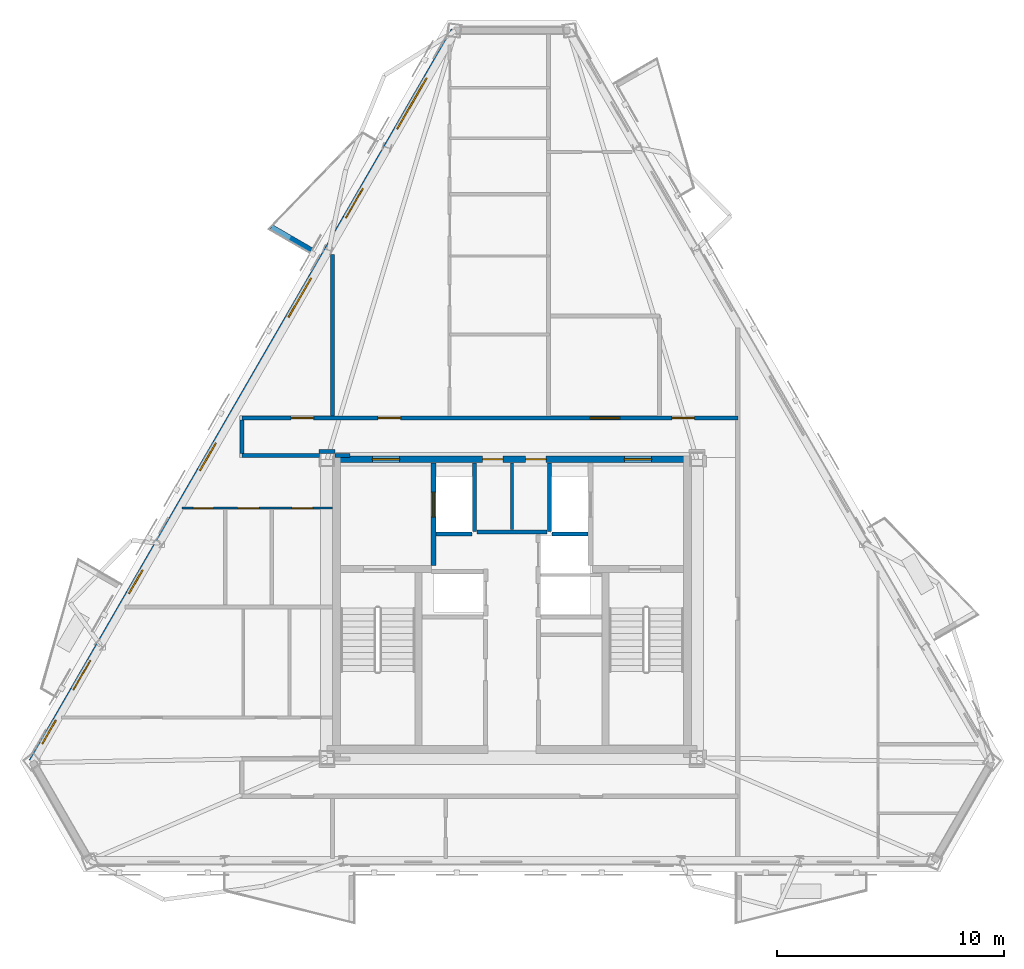
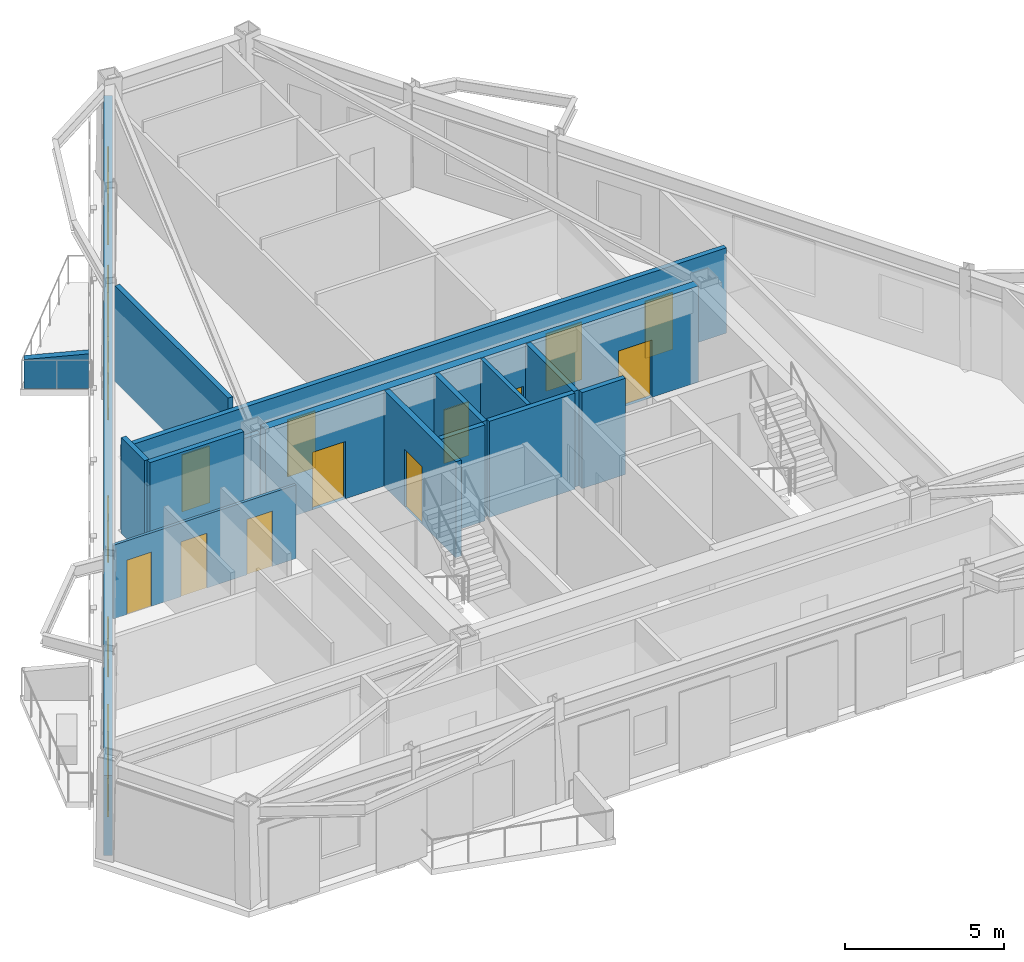
# One storey, part 4 of 9: 17 walls, 14 doors, 5 windows, 19 openings.
"""IFC4 building model written with IfcOpenShell, lengths in metres."""

from ifc_helpers import new_model, si_unit, direction, frame, frame_2d, origin, place, context, subcontext, project, spatial, polyline, rectangle, outline, extrude, material, layer, layer_set, type_object, element, fill, save


model = new_model("IFC4")

# Units and contexts
model_context = context("Model", 3, precision=1e-05, world=origin(), true_north=direction((0.0, 1.0)))
body_context = subcontext(model_context, "Body", "Model", "MODEL_VIEW")
ifc_project = project(units=[si_unit("LENGTHUNIT", "METRE"), si_unit("AREAUNIT", "SQUARE_METRE"), si_unit("VOLUMEUNIT", "CUBIC_METRE"), si_unit("PLANEANGLEUNIT", "RADIAN"), si_unit("MASSUNIT", "GRAM", prefix="KILO")], contexts=[model_context])

# Site, building, storey
site_placement = place(None, origin())
site = spatial("IfcSite", under=ifc_project, at=site_placement, CompositionType="ELEMENT")
building_placement = place(site_placement, origin())
building = spatial("IfcBuilding", under=site, at=building_placement, Name="Oramaril Tower", CompositionType="ELEMENT")
storey_placement = place(building_placement, frame((0.0, 0.0, 261.60009765625)))
storey = spatial("IfcBuildingStorey", under=building, at=storey_placement, Name="L69", CompositionType="ELEMENT", Elevation=261.60009765625)

# Wall, openings, doors, windows
ifc_material_1 = material(Name="Warm Cream Limestone", Category="masonry")
ifc_layer_1 = layer(ifc_material_1, 0.2900390625)
ifc_layer_set_1 = layer_set([ifc_layer_1], Name="WT-EXT29")
wall_type_1 = type_object("IfcWallType", Name="WT-EXT29", PredefinedType="SOLIDWALL", material=ifc_layer_set_1)
wall_1_placement = place(storey_placement, frame((34.947998046875, 43.05078125, 0.0), z_axis=(0.0, 0.0, 1.0), x_axis=(-0.500002906693, -0.866023725598, 0.0)))
wall_1 = element("IfcWall", 1, at=wall_1_placement, inside=storey, type_object=wall_type_1, Name="L69 Tower Limestone Facade Wall 6M", PredefinedType="SOLIDWALL", context=body_context, shape_type="SweptSolid", body=[
    extrude(rectangle(XDim=37.199951171875, YDim=0.2900390625, at=frame_2d((18.60009765625, 0.0))), origin(), (0.0, 0.0, 1.0), 3.057861328125),
])
opening_1_placement = place(wall_1_placement, frame((8.034423828125, 0.0, 0.0)))
opening_1 = element("IfcOpeningElement", 2, at=opening_1_placement, cuts=wall_1, Name="Opening D-L69-BAL-NW1", PredefinedType="OPENING", context=body_context, shape_type="SweptSolid", body=[
    extrude(rectangle(XDim=1.5, YDim=2.199951171875, at=frame_2d((0.75, 1.10009765625))), frame((0.0, 0.14501953125, 0.0), z_axis=(0.0, -1.0, 0.0), x_axis=(1.0, 0.0, 0.0)), (0.0, 0.0, 1.0), 0.2900390625),
])
opening_2_placement = place(wall_1_placement, frame((32.060791015625, 0.0, 0.0)))
opening_2 = element("IfcOpeningElement", 3, at=opening_2_placement, cuts=wall_1, Name="Opening D-L69-BAL-NW2", PredefinedType="OPENING", context=body_context, shape_type="SweptSolid", body=[
    extrude(rectangle(XDim=1.5, YDim=2.199951171875, at=frame_2d((0.75, 1.10009765625))), frame((0.0, 0.14501953125, 0.0), z_axis=(0.0, -1.0, 0.0), x_axis=(1.0, 0.0, 0.0)), (0.0, 0.0, 1.0), 0.2900390625),
])
opening_3_placement = place(wall_1_placement, frame((35.10400390625, 0.0, 0.85009765625)))
opening_3 = element("IfcOpeningElement", 4, at=opening_3_placement, cuts=wall_1, Name="Opening WN-09", PredefinedType="OPENING", context=body_context, shape_type="SweptSolid", body=[
    extrude(rectangle(XDim=1.199951171875, YDim=1.47998046875, at=frame_2d((0.60009765625, 0.739990234375))), frame((0.0, 0.14501953125, 0.0), z_axis=(0.0, -1.0, 0.0), x_axis=(1.0, 0.0, 0.0)), (0.0, 0.0, 1.0), 0.2900390625),
])
opening_4_placement = place(wall_1_placement, frame((12.59716796875, 0.0, 0.85009765625)))
opening_4 = element("IfcOpeningElement", 5, at=opening_4_placement, cuts=wall_1, Name="Opening WN-05", PredefinedType="OPENING", context=body_context, shape_type="SweptSolid", body=[
    extrude(rectangle(XDim=2.0, YDim=1.800048828125, at=frame_2d((1.0, 0.89990234375))), frame((0.0, 0.14501953125, 0.0), z_axis=(0.0, -1.0, 0.0), x_axis=(1.0, 0.0, 0.0)), (0.0, 0.0, 1.0), 0.2900390625),
])
opening_5_placement = place(wall_1_placement, frame((20.994873046875, 0.0, 0.85009765625)))
opening_5 = element("IfcOpeningElement", 6, at=opening_5_placement, cuts=wall_1, Name="Opening WN-08", PredefinedType="OPENING", context=body_context, shape_type="SweptSolid", body=[
    extrude(rectangle(XDim=1.39990234375, YDim=1.60009765625, at=frame_2d((0.699951171875, 0.800048828125))), frame((0.0, 0.14501953125, 0.0), z_axis=(0.0, -1.0, 0.0), x_axis=(1.0, 0.0, 0.0)), (0.0, 0.0, 1.0), 0.2900390625),
])
opening_6_placement = place(wall_1_placement, frame((27.45361328125, 0.0, 0.85009765625)))
opening_6 = element("IfcOpeningElement", 7, at=opening_6_placement, cuts=wall_1, Name="Opening WN-09", PredefinedType="OPENING", context=body_context, shape_type="SweptSolid", body=[
    extrude(rectangle(XDim=1.199951171875, YDim=1.47998046875, at=frame_2d((0.60009765625, 0.739990234375))), frame((0.0, 0.14501953125, 0.0), z_axis=(0.0, -1.0, 0.0), x_axis=(1.0, 0.0, 0.0)), (0.0, 0.0, 1.0), 0.2900390625),
])
opening_7_placement = place(wall_1_placement, frame((2.4150390625, 0.0, 0.85009765625)))
opening_7 = element("IfcOpeningElement", 8, at=opening_7_placement, cuts=wall_1, Name="Opening WN-02", PredefinedType="OPENING", context=body_context, shape_type="SweptSolid", body=[
    extrude(rectangle(XDim=2.60009765625, YDim=1.949951171875, at=frame_2d((1.300048828125, 0.97509765625))), frame((0.0, 0.14501953125, 0.0), z_axis=(0.0, -1.0, 0.0), x_axis=(1.0, 0.0, 0.0)), (0.0, 0.0, 1.0), 0.2900390625),
])
ifc_material_2 = material(Name="Anodised Aluminium 6063-T6", Category="aluminium")
door_type_1 = type_object("IfcDoorType", Name="DT-BAL", OperationType="NOTDEFINED", PredefinedType="DOOR", material=ifc_material_2)
door_1_placement = place(opening_1_placement, origin())
door_1 = element("IfcDoor", 9, at=door_1_placement, inside=storey, type_object=door_type_1, Name="L69 Balcony Glazed Door L69-BAL-NW1", OperationType="SINGLE_SWING_RIGHT", OverallHeight=2.199951171875, OverallWidth=1.5, PredefinedType="DOOR", context=body_context, shape_type="SweptSolid", body=[
    extrude(rectangle(XDim=1.5, YDim=2.199951171875, at=frame_2d((0.75, 1.10009765625))), frame((0.0, 0.02490234375, 0.0), z_axis=(0.0, -1.0, 0.0), x_axis=(1.0, 0.0, 0.0)), (0.0, 0.0, 1.0), 0.050048828125),
])
fill(opening_1, door_1)
door_2_placement = place(opening_2_placement, origin())
door_2 = element("IfcDoor", 10, at=door_2_placement, inside=storey, type_object=door_type_1, Name="L69 Balcony Glazed Door L69-BAL-NW2", OperationType="SINGLE_SWING_LEFT", OverallHeight=2.199951171875, OverallWidth=1.5, PredefinedType="DOOR", context=body_context, shape_type="SweptSolid", body=[
    extrude(rectangle(XDim=1.5, YDim=2.199951171875, at=frame_2d((0.75, 1.10009765625))), frame((0.0, 0.02490234375, 0.0), z_axis=(0.0, -1.0, 0.0), x_axis=(1.0, 0.0, 0.0)), (0.0, 0.0, 1.0), 0.050048828125),
])
fill(opening_2, door_2)
ifc_material_3 = material(Name="Coastal Low-E Insulated Glass", Category="glass")
window_type_1 = type_object("IfcWindowType", Name="WNT-02", PartitioningType="SINGLE_PANEL", PredefinedType="WINDOW", material=ifc_material_3)
window_1_placement = place(opening_7_placement, origin())
window_1 = element("IfcWindow", 11, at=window_1_placement, inside=storey, type_object=window_type_1, Name="L69 Chicago Bay Window WN-02", OverallHeight=1.949951171875, OverallWidth=2.60009765625, PartitioningType="SINGLE_PANEL", PredefinedType="WINDOW", context=body_context, shape_type="SweptSolid", body=[
    extrude(rectangle(XDim=2.60009765625, YDim=1.949951171875, at=frame_2d((1.300048828125, 0.97509765625))), frame((0.0, 0.030029296875, 0.0), z_axis=(0.0, -1.0, 0.0), x_axis=(1.0, 0.0, 0.0)), (0.0, 0.0, 1.0), 0.06005859375),
])
fill(opening_7, window_1)
ifc_material_4 = material(Name="Coastal Low-E Insulated Glass", Category="glass")
window_type_2 = type_object("IfcWindowType", Name="WNT-05", PartitioningType="SINGLE_PANEL", PredefinedType="WINDOW", material=ifc_material_4)
window_2_placement = place(opening_4_placement, origin())
window_2 = element("IfcWindow", 12, at=window_2_placement, inside=storey, type_object=window_type_2, Name="L69 Chicago Bay Window WN-05", OverallHeight=1.800048828125, OverallWidth=2.0, PartitioningType="SINGLE_PANEL", PredefinedType="WINDOW", context=body_context, shape_type="SweptSolid", body=[
    extrude(rectangle(XDim=2.0, YDim=1.800048828125, at=frame_2d((1.0, 0.89990234375))), frame((0.0, 0.030029296875, 0.0), z_axis=(0.0, -1.0, 0.0), x_axis=(1.0, 0.0, 0.0)), (0.0, 0.0, 1.0), 0.06005859375),
])
fill(opening_4, window_2)
ifc_material_5 = material(Name="Coastal Low-E Insulated Glass", Category="glass")
window_type_3 = type_object("IfcWindowType", Name="WNT-08", PartitioningType="SINGLE_PANEL", PredefinedType="WINDOW", material=ifc_material_5)
window_3_placement = place(opening_5_placement, origin())
window_3 = element("IfcWindow", 13, at=window_3_placement, inside=storey, type_object=window_type_3, Name="L69 Chicago Bay Window WN-08", OverallHeight=1.60009765625, OverallWidth=1.39990234375, PartitioningType="SINGLE_PANEL", PredefinedType="WINDOW", context=body_context, shape_type="SweptSolid", body=[
    extrude(rectangle(XDim=1.39990234375, YDim=1.60009765625, at=frame_2d((0.699951171875, 0.800048828125))), frame((0.0, 0.030029296875, 0.0), z_axis=(0.0, -1.0, 0.0), x_axis=(1.0, 0.0, 0.0)), (0.0, 0.0, 1.0), 0.06005859375),
])
fill(opening_5, window_3)
ifc_material_6 = material(Name="Coastal Low-E Insulated Glass", Category="glass")
window_type_4 = type_object("IfcWindowType", Name="WNT-09", PartitioningType="SINGLE_PANEL", PredefinedType="WINDOW", material=ifc_material_6)
window_4_placement = place(opening_3_placement, origin())
window_4 = element("IfcWindow", 14, at=window_4_placement, inside=storey, type_object=window_type_4, Name="L69 Chicago Bay Window WN-09", OverallHeight=1.47998046875, OverallWidth=1.199951171875, PartitioningType="SINGLE_PANEL", PredefinedType="WINDOW", context=body_context, shape_type="SweptSolid", body=[
    extrude(rectangle(XDim=1.199951171875, YDim=1.47998046875, at=frame_2d((0.60009765625, 0.739990234375))), frame((0.0, 0.030029296875, 0.0), z_axis=(0.0, -1.0, 0.0), x_axis=(1.0, 0.0, 0.0)), (0.0, 0.0, 1.0), 0.06005859375),
])
fill(opening_3, window_4)
window_5_placement = place(opening_6_placement, origin())
window_5 = element("IfcWindow", 15, at=window_5_placement, inside=storey, type_object=window_type_4, Name="L69 Chicago Bay Window WN-09", OverallHeight=1.47998046875, OverallWidth=1.199951171875, PartitioningType="SINGLE_PANEL", PredefinedType="WINDOW", context=body_context, shape_type="SweptSolid", body=[
    extrude(rectangle(XDim=1.199951171875, YDim=1.47998046875, at=frame_2d((0.60009765625, 0.739990234375))), frame((0.0, 0.030029296875, 0.0), z_axis=(0.0, -1.0, 0.0), x_axis=(1.0, 0.0, 0.0)), (0.0, 0.0, 1.0), 0.06005859375),
])
fill(opening_6, window_5)

# Wall
ifc_material_7 = material(Name="Concrete C40/50", Category="concrete")
ifc_layer_2 = layer(ifc_material_7, 0.22998046875)
ifc_layer_set_2 = layer_set([ifc_layer_2], Name="WT-PRP23")
wall_type_2 = type_object("IfcWallType", Name="WT-PRP23", PredefinedType="PARAPET", material=ifc_layer_set_2)
wall_2_placement = place(storey_placement, frame((28.665283203125, 33.364990234375, 0.0), z_axis=(0.0, 0.0, 1.0), x_axis=(-0.866012356593, 0.500022597718, 0.0)))
element("IfcWall", 16, at=wall_2_placement, inside=storey, type_object=wall_type_2, Name="L69 Trapezoidal Balcony Frame Cheek L69-BAL-NW1-R", PredefinedType="PARAPET", context=body_context, shape_type="SweptSolid", body=[
    extrude(outline(polyline([(0.0, 0.0), (2.0419921875, 0.0), (2.0419921875, 1.099853515625), (0.0, 1.31982421875), (0.0, 0.0)])), frame((0.0, 0.114990234375, 0.0), z_axis=(0.0, -1.0, 0.0), x_axis=(1.0, 0.0, 0.0)), (0.0, 0.0, 1.0), 0.22998046875),
])

# Wall, openings, doors
ifc_material_8 = material(Name="Acoustic Gypsum Board Partition")
ifc_layer_3 = layer(ifc_material_8, 0.10009765625)
ifc_layer_set_3 = layer_set([ifc_layer_3], Name="WT-PT10")
wall_type_3 = type_object("IfcWallType", Name="WT-PT10", PredefinedType="PARTITIONING", material=ifc_layer_set_3)
wall_3_placement = place(storey_placement, frame((22.96630859375, 22.0, 0.0), z_axis=(0.0, 0.0, 1.0), x_axis=(1.0, 0.0, 0.0)))
wall_3 = element("IfcWall", 17, at=wall_3_placement, inside=storey, type_object=wall_type_3, Name="L69 Interior Partition PT-10", PredefinedType="PARTITIONING", context=body_context, shape_type="SweptSolid", body=[
    extrude(rectangle(XDim=6.61962890625, YDim=0.10009765625, at=frame_2d((3.309814453125, 0.0))), origin(), (0.0, 0.0, 1.0), 2.81982421875),
])
opening_8_placement = place(wall_3_placement, frame((0.4912109375, 0.0, 0.0)))
opening_8 = element("IfcOpeningElement", 18, at=opening_8_placement, cuts=wall_3, Name="Opening D-L69-06", PredefinedType="OPENING", context=body_context, shape_type="SweptSolid", body=[
    extrude(rectangle(XDim=0.8798828125, YDim=2.080078125, at=frame_2d((0.43994140625, 1.0400390625))), frame((0.0, 0.050048828125, 0.0), z_axis=(0.0, -1.0, 0.0), x_axis=(1.0, 0.0, 0.0)), (0.0, 0.0, 1.0), 0.10009765625),
])
opening_9_placement = place(wall_3_placement, frame((2.441162109375, 0.0, 0.0)))
opening_9 = element("IfcOpeningElement", 19, at=opening_9_placement, cuts=wall_3, Name="Opening D-L69-07", PredefinedType="OPENING", context=body_context, shape_type="SweptSolid", body=[
    extrude(rectangle(XDim=0.949951171875, YDim=2.10009765625, at=frame_2d((0.47509765625, 1.050048828125))), frame((0.0, 0.050048828125, 0.0), z_axis=(0.0, -1.0, 0.0), x_axis=(1.0, 0.0, 0.0)), (0.0, 0.0, 1.0), 0.10009765625),
])
opening_10_placement = place(wall_3_placement, frame((4.83251953125, 0.0, 0.0)))
opening_10 = element("IfcOpeningElement", 20, at=opening_10_placement, cuts=wall_3, Name="Opening D-L69-08", PredefinedType="OPENING", context=body_context, shape_type="SweptSolid", body=[
    extrude(rectangle(XDim=0.919921875, YDim=2.1201171875, at=frame_2d((0.4599609375, 1.06005859375))), frame((0.0, 0.050048828125, 0.0), z_axis=(0.0, -1.0, 0.0), x_axis=(1.0, 0.0, 0.0)), (0.0, 0.0, 1.0), 0.10009765625),
])
ifc_material_9 = material(Name="FSC Brazilian Freijo Hardwood", Category="wood")
door_type_2 = type_object("IfcDoorType", Name="DT-BATH", OperationType="NOTDEFINED", PredefinedType="DOOR", material=ifc_material_9)
door_3_placement = place(opening_8_placement, origin())
door_3 = element("IfcDoor", 21, at=door_3_placement, inside=storey, type_object=door_type_2, Name="L69 Flat L69-U3 Bathroom Door D-L69-06", OperationType="SINGLE_SWING_LEFT", OverallHeight=2.080078125, OverallWidth=0.8798828125, PredefinedType="DOOR", context=body_context, shape_type="SweptSolid", body=[
    extrude(rectangle(XDim=0.8798828125, YDim=2.080078125, at=frame_2d((0.43994140625, 1.0400390625))), frame((0.0, 0.02490234375, 0.0), z_axis=(0.0, -1.0, 0.0), x_axis=(1.0, 0.0, 0.0)), (0.0, 0.0, 1.0), 0.050048828125),
])
fill(opening_8, door_3)
ifc_material_10 = material(Name="FSC Brazilian Freijo Hardwood", Category="wood")
door_type_3 = type_object("IfcDoorType", Name="DT-BED", OperationType="NOTDEFINED", PredefinedType="DOOR", material=ifc_material_10)
door_4_placement = place(opening_10_placement, origin())
door_4 = element("IfcDoor", 22, at=door_4_placement, inside=storey, type_object=door_type_3, Name="L69 Flat L69-U3 Master Bedroom Door D-L69-08", OperationType="SINGLE_SWING_LEFT", OverallHeight=2.1201171875, OverallWidth=0.919921875, PredefinedType="DOOR", context=body_context, shape_type="SweptSolid", body=[
    extrude(rectangle(XDim=0.919921875, YDim=2.1201171875, at=frame_2d((0.4599609375, 1.06005859375))), frame((0.0, 0.02490234375, 0.0), z_axis=(0.0, -1.0, 0.0), x_axis=(1.0, 0.0, 0.0)), (0.0, 0.0, 1.0), 0.050048828125),
])
fill(opening_10, door_4)
ifc_material_11 = material(Name="FSC Brazilian Freijo Hardwood", Category="wood")
door_type_4 = type_object("IfcDoorType", Name="DT-STDY", OperationType="NOTDEFINED", PredefinedType="DOOR", material=ifc_material_11)
door_5_placement = place(opening_9_placement, origin())
door_5 = element("IfcDoor", 23, at=door_5_placement, inside=storey, type_object=door_type_4, Name="L69 Flat L69-U3 Kitchen Door D-L69-07", OperationType="SINGLE_SWING_RIGHT", OverallHeight=2.10009765625, OverallWidth=0.949951171875, PredefinedType="DOOR", context=body_context, shape_type="SweptSolid", body=[
    extrude(rectangle(XDim=0.949951171875, YDim=2.10009765625, at=frame_2d((0.47509765625, 1.050048828125))), frame((0.0, 0.02490234375, 0.0), z_axis=(0.0, -1.0, 0.0), x_axis=(1.0, 0.0, 0.0)), (0.0, 0.0, 1.0), 0.050048828125),
])
fill(opening_9, door_5)

# Walls
ifc_material_12 = material(Name="Acoustic Gypsum Board Partition")
ifc_layer_4 = layer(ifc_material_12, 0.139892578125)
ifc_layer_set_4 = layer_set([ifc_layer_4], Name="WT-PT14")
wall_type_4 = type_object("IfcWallType", Name="WT-PT14", PredefinedType="PARTITIONING", material=ifc_layer_set_4)
wall_4_placement = place(storey_placement, frame((37.5, 21.06005859375, 0.0), z_axis=(0.0, 0.0, 1.0), x_axis=(0.0, 1.0, 0.0)))
element("IfcWall", 24, at=wall_4_placement, inside=storey, type_object=wall_type_4, Name="L69 Core Service Divider", PredefinedType="PARTITIONING", context=body_context, shape_type="SweptSolid", body=[
    extrude(rectangle(XDim=2.919921875, YDim=0.139892578125, at=frame_2d((1.4599609375, 0.0))), origin(), (0.0, 0.0, 1.0), 3.679931640625),
])
ifc_material_13 = material(Name="Autoclaved Cellular Concrete Block", Category="concrete")
ifc_layer_5 = layer(ifc_material_13, 0.179931640625)
ifc_layer_set_5 = layer_set([ifc_layer_5], Name="WT-PT18")
wall_type_5 = type_object("IfcWallType", Name="WT-PT18", PredefinedType="PARTITIONING", material=ifc_layer_set_5)
wall_5_placement = place(storey_placement, frame((35.840087890625, 20.9599609375, 0.0), z_axis=(0.0, 0.0, 1.0), x_axis=(0.0, 1.0, 0.0)))
element("IfcWall", 25, at=wall_5_placement, inside=storey, type_object=wall_type_5, Name="L69 FL-1 East Shaft Wall", PredefinedType="PARTITIONING", context=body_context, shape_type="SweptSolid", body=[
    extrude(rectangle(XDim=3.02001953125, YDim=0.179931640625, at=frame_2d((1.510009765625, 0.0))), origin(), (0.0, 0.0, 1.0), 3.679931640625),
])
wall_6_placement = place(storey_placement, frame((34.159912109375, 20.860107421875, 0.0), z_axis=(0.0, 0.0, 1.0), x_axis=(1.0, 0.0, 0.0)))
element("IfcWall", 26, at=wall_6_placement, inside=storey, type_object=wall_type_5, Name="L69 FL-1 South Shaft Wall", PredefinedType="PARTITIONING", context=body_context, shape_type="SweptSolid", body=[
    extrude(rectangle(XDim=1.580078125, YDim=0.179931640625, at=frame_2d((0.7900390625, 0.0))), origin(), (0.0, 0.0, 1.0), 3.679931640625),
])
wall_7_placement = place(storey_placement, frame((39.159912109375, 20.9599609375, 0.0), z_axis=(0.0, 0.0, 1.0), x_axis=(0.0, 1.0, 0.0)))
element("IfcWall", 27, at=wall_7_placement, inside=storey, type_object=wall_type_5, Name="L69 FL-2 West Shaft Wall", PredefinedType="PARTITIONING", context=body_context, shape_type="SweptSolid", body=[
    extrude(rectangle(XDim=3.02001953125, YDim=0.179931640625, at=frame_2d((1.510009765625, 0.0))), origin(), (0.0, 0.0, 1.0), 3.679931640625),
])
wall_8_placement = place(storey_placement, frame((39.260009765625, 20.860107421875, 0.0), z_axis=(0.0, 0.0, 1.0), x_axis=(1.0, 0.0, 0.0)))
element("IfcWall", 28, at=wall_8_placement, inside=storey, type_object=wall_type_5, Name="L69 FL-2 South Shaft Wall", PredefinedType="PARTITIONING", context=body_context, shape_type="SweptSolid", body=[
    extrude(rectangle(XDim=1.580078125, YDim=0.179931640625, at=frame_2d((0.7900390625, 0.0))), origin(), (0.0, 0.0, 1.0), 3.679931640625),
])
wall_9_placement = place(storey_placement, frame((35.949951171875, 20.949951171875, 0.0), z_axis=(0.0, 0.0, 1.0), x_axis=(1.0, 0.0, 0.0)))
element("IfcWall", 29, at=wall_9_placement, inside=storey, type_object=wall_type_5, Name="L69 Lift Lobby North Partition", PredefinedType="PARTITIONING", context=body_context, shape_type="SweptSolid", body=[
    extrude(rectangle(XDim=3.10009765625, YDim=0.179931640625, at=frame_2d((1.550048828125, 0.0))), origin(), (0.0, 0.0, 1.0), 3.679931640625),
])
wall_10_placement = place(storey_placement, frame((25.60009765625, 24.320068359375, 0.0), z_axis=(0.0, 0.0, 1.0), x_axis=(1.0, 0.0, 0.0)))
element("IfcWall", 30, at=wall_10_placement, inside=storey, type_object=wall_type_5, Name="L69 Interior Partition PT-18", PredefinedType="PARTITIONING", context=body_context, shape_type="SweptSolid", body=[
    extrude(rectangle(XDim=3.409912109375, YDim=0.179931640625, at=frame_2d((1.705078125, 0.0))), origin(), (0.0, 0.0, 1.0), 3.679931640625),
])
wall_11_placement = place(storey_placement, frame((29.68994140625, 24.320068359375, 0.0), z_axis=(0.0, 0.0, 1.0), x_axis=(1.0, 0.0, 0.0)))
element("IfcWall", 31, at=wall_11_placement, inside=storey, type_object=wall_type_5, Name="L69 Interior Partition PT-18", PredefinedType="PARTITIONING", context=body_context, shape_type="SweptSolid", body=[
    extrude(rectangle(XDim=0.6650390625, YDim=0.179931640625, at=frame_2d((0.33251953125, 0.0))), origin(), (0.0, 0.0, 1.0), 2.81982421875),
])
wall_12_placement = place(storey_placement, frame((29.0048828125, 24.5, 0.0), z_axis=(0.0, 0.0, 1.0), x_axis=(1.0, 0.0, 0.0)))
element("IfcWall", 32, at=wall_12_placement, inside=storey, type_object=wall_type_5, Name="L69 Interior Partition PT-18", PredefinedType="PARTITIONING", context=body_context, shape_type="SweptSolid", body=[
    extrude(rectangle(XDim=0.690185546875, YDim=0.179931640625, at=frame_2d((0.34521484375, 0.0))), origin(), (0.0, 0.0, 1.0), 3.265869140625),
])

# Wall, openings, doors
wall_13_placement = place(storey_placement, frame((25.60009765625, 25.969970703125, 0.0), z_axis=(0.0, 0.0, 1.0), x_axis=(1.0, 0.0, 0.0)))
wall_13 = element("IfcWall", 33, at=wall_13_placement, inside=storey, type_object=wall_type_5, Name="L69 Interior Partition PT-18", PredefinedType="PARTITIONING", context=body_context, shape_type="SweptSolid", body=[
    extrude(rectangle(XDim=21.849853515625, YDim=0.179931640625, at=frame_2d((10.9248046875, 0.0))), origin(), (0.0, 0.0, 1.0), 3.265869140625),
])
opening_11_placement = place(wall_13_placement, frame((2.160400390625, 0.0, 0.0)))
opening_11 = element("IfcOpeningElement", 34, at=opening_11_placement, cuts=wall_13, Name="Opening D-L69-09", PredefinedType="OPENING", context=body_context, shape_type="SweptSolid", body=[
    extrude(rectangle(XDim=1.0, YDim=2.179931640625, at=frame_2d((0.5, 1.08984375))), frame((0.0, 0.08984375, 0.0), z_axis=(0.0, -1.0, 0.0), x_axis=(1.0, 0.0, 0.0)), (0.0, 0.0, 1.0), 0.179931640625),
])
opening_12_placement = place(wall_13_placement, frame((5.991455078125, 0.0, 0.0)))
opening_12 = element("IfcOpeningElement", 35, at=opening_12_placement, cuts=wall_13, Name="Opening D-L69-10", PredefinedType="OPENING", context=body_context, shape_type="SweptSolid", body=[
    extrude(rectangle(XDim=1.0, YDim=2.179931640625, at=frame_2d((0.5, 1.08984375))), frame((0.0, 0.08984375, 0.0), z_axis=(0.0, -1.0, 0.0), x_axis=(1.0, 0.0, 0.0)), (0.0, 0.0, 1.0), 0.179931640625),
])
opening_13_placement = place(wall_13_placement, frame((15.35009765625, 0.0, 0.0)))
opening_13 = element("IfcOpeningElement", 36, at=opening_13_placement, cuts=wall_13, Name="Opening D-L69-11", PredefinedType="OPENING", context=body_context, shape_type="SweptSolid", body=[
    extrude(rectangle(XDim=1.300048828125, YDim=2.199951171875, at=frame_2d((0.64990234375, 1.10009765625))), frame((0.0, 0.08984375, 0.0), z_axis=(0.0, -1.0, 0.0), x_axis=(1.0, 0.0, 0.0)), (0.0, 0.0, 1.0), 0.179931640625),
])
opening_14_placement = place(wall_13_placement, frame((18.9404296875, 0.0, 0.0)))
opening_14 = element("IfcOpeningElement", 37, at=opening_14_placement, cuts=wall_13, Name="Opening D-L69-12", PredefinedType="OPENING", context=body_context, shape_type="SweptSolid", body=[
    extrude(rectangle(XDim=1.0, YDim=2.179931640625, at=frame_2d((0.5, 1.08984375))), frame((0.0, 0.08984375, 0.0), z_axis=(0.0, -1.0, 0.0), x_axis=(1.0, 0.0, 0.0)), (0.0, 0.0, 1.0), 0.179931640625),
])
ifc_material_14 = material(Name="FSC Brazilian Freijo Hardwood", Category="wood")
door_type_5 = type_object("IfcDoorType", Name="DT-APT", OperationType="NOTDEFINED", PredefinedType="DOOR", material=ifc_material_14)
door_6_placement = place(opening_11_placement, origin())
door_6 = element("IfcDoor", 38, at=door_6_placement, inside=storey, type_object=door_type_5, Name="L69 Flat L69-U3 Living and Dining Room Door D-L69-09", OperationType="SINGLE_SWING_RIGHT", OverallHeight=2.179931640625, OverallWidth=1.0, PredefinedType="DOOR", context=body_context, shape_type="SweptSolid", body=[
    extrude(rectangle(XDim=1.0, YDim=2.179931640625, at=frame_2d((0.5, 1.08984375))), frame((0.0, 0.02490234375, 0.0), z_axis=(0.0, -1.0, 0.0), x_axis=(1.0, 0.0, 0.0)), (0.0, 0.0, 1.0), 0.050048828125),
])
fill(opening_11, door_6)
door_7_placement = place(opening_12_placement, origin())
door_7 = element("IfcDoor", 39, at=door_7_placement, inside=storey, type_object=door_type_5, Name="L69 Flat L69-U5 Penthouse 2-Bedroom Living and Dining Room Door D-L69-10", OperationType="SINGLE_SWING_LEFT", OverallHeight=2.179931640625, OverallWidth=1.0, PredefinedType="DOOR", context=body_context, shape_type="SweptSolid", body=[
    extrude(rectangle(XDim=1.0, YDim=2.179931640625, at=frame_2d((0.5, 1.08984375))), frame((0.0, 0.02490234375, 0.0), z_axis=(0.0, -1.0, 0.0), x_axis=(1.0, 0.0, 0.0)), (0.0, 0.0, 1.0), 0.050048828125),
])
fill(opening_12, door_7)
door_8_placement = place(opening_14_placement, origin())
door_8 = element("IfcDoor", 40, at=door_8_placement, inside=storey, type_object=door_type_5, Name="L69 Flat L69-U6 Kitchen and Studio Apartment Door D-L69-12", OperationType="SINGLE_SWING_LEFT", OverallHeight=2.179931640625, OverallWidth=1.0, PredefinedType="DOOR", context=body_context, shape_type="SweptSolid", body=[
    extrude(rectangle(XDim=1.0, YDim=2.179931640625, at=frame_2d((0.5, 1.08984375))), frame((0.0, 0.02490234375, 0.0), z_axis=(0.0, -1.0, 0.0), x_axis=(1.0, 0.0, 0.0)), (0.0, 0.0, 1.0), 0.050048828125),
])
fill(opening_14, door_8)
ifc_material_15 = material(Name="FSC Brazilian Freijo Hardwood", Category="wood")
door_type_6 = type_object("IfcDoorType", Name="DT-COM", OperationType="NOTDEFINED", PredefinedType="DOOR", material=ifc_material_15)
door_9_placement = place(opening_13_placement, origin())
door_9 = element("IfcDoor", 41, at=door_9_placement, inside=storey, type_object=door_type_6, Name="L69 L69 Residents Reading Library Door D-L69-11", OperationType="SINGLE_SWING_RIGHT", OverallHeight=2.199951171875, OverallWidth=1.300048828125, PredefinedType="DOOR", context=body_context, shape_type="SweptSolid", body=[
    extrude(rectangle(XDim=1.300048828125, YDim=2.199951171875, at=frame_2d((0.64990234375, 1.10009765625))), frame((0.0, 0.02490234375, 0.0), z_axis=(0.0, -1.0, 0.0), x_axis=(1.0, 0.0, 0.0)), (0.0, 0.0, 1.0), 0.050048828125),
])
fill(opening_13, door_9)

# Walls
wall_14_placement = place(storey_placement, frame((25.60009765625, 24.4140625, 0.0), z_axis=(0.0, 0.0, 1.0), x_axis=(0.0, 1.0, 0.0)))
element("IfcWall", 42, at=wall_14_placement, inside=storey, type_object=wall_type_5, Name="L69 Interior Partition PT-18", PredefinedType="PARTITIONING", context=body_context, shape_type="SweptSolid", body=[
    extrude(rectangle(XDim=1.4619140625, YDim=0.179931640625, at=frame_2d((0.73095703125, 0.0))), origin(), (0.0, 0.0, 1.0), 3.679931640625),
])
wall_15_placement = place(storey_placement, frame((29.580078125, 26.06396484375, 0.0), z_axis=(0.0, 0.0, 1.0), x_axis=(0.0, 1.0, 0.0)))
element("IfcWall", 43, at=wall_15_placement, inside=storey, type_object=wall_type_5, Name="L69 Interior Partition PT-18", PredefinedType="PARTITIONING", context=body_context, shape_type="SweptSolid", body=[
    extrude(rectangle(XDim=7.109619140625, YDim=0.179931640625, at=frame_2d((3.5546875, 0.0))), origin(), (0.0, 0.0, 1.0), 3.679931640625),
])

# Wall, openings, doors
ifc_material_16 = material(Name="Concrete C50/60", Category="concrete")
ifc_layer_6 = layer(ifc_material_16, 0.300048828125)
ifc_layer_set_6 = layer_set([ifc_layer_6], Name="WT-SH30")
wall_type_6 = type_object("IfcWallType", Name="WT-SH30", PredefinedType="SHEAR", material=ifc_layer_set_6)
wall_16_placement = place(storey_placement, frame((29.64990234375, 24.14990234375, 0.0), z_axis=(0.0, 0.0, 1.0), x_axis=(1.0, 0.0, 0.0)))
wall_16 = element("IfcWall", 44, at=wall_16_placement, inside=storey, type_object=wall_type_6, Name="L69 Core Shear Wall CW-N", PredefinedType="SHEAR", context=body_context, shape_type="SweptSolid", body=[
    extrude(rectangle(XDim=15.7001953125, YDim=0.300048828125, at=frame_2d((7.85009765625, 0.0))), origin(), (0.0, 0.0, 1.0), 3.679931640625),
])
opening_15_placement = place(wall_16_placement, frame((1.699951171875, 0.0, 0.0)))
opening_15 = element("IfcOpeningElement", 45, at=opening_15_placement, cuts=wall_16, Name="Opening D-L69-FFL1", PredefinedType="OPENING", context=body_context, shape_type="SweptSolid", body=[
    extrude(rectangle(XDim=1.199951171875, YDim=2.199951171875, at=frame_2d((0.60009765625, 1.10009765625))), frame((0.0, 0.14990234375, 0.0), z_axis=(0.0, -1.0, 0.0), x_axis=(1.0, 0.0, 0.0)), (0.0, 0.0, 1.0), 0.300048828125),
])
opening_16_placement = place(wall_16_placement, frame((12.800048828125, 0.0, 0.0)))
opening_16 = element("IfcOpeningElement", 46, at=opening_16_placement, cuts=wall_16, Name="Opening D-L69-FFL2", PredefinedType="OPENING", context=body_context, shape_type="SweptSolid", body=[
    extrude(rectangle(XDim=1.199951171875, YDim=2.199951171875, at=frame_2d((0.60009765625, 1.10009765625))), frame((0.0, 0.14990234375, 0.0), z_axis=(0.0, -1.0, 0.0), x_axis=(1.0, 0.0, 0.0)), (0.0, 0.0, 1.0), 0.300048828125),
])
opening_17_placement = place(wall_16_placement, frame((6.550048828125, 0.0, 0.0)))
opening_17 = element("IfcOpeningElement", 47, at=opening_17_placement, cuts=wall_16, Name="Opening D-L69-SV1", PredefinedType="OPENING", context=body_context, shape_type="SweptSolid", body=[
    extrude(rectangle(XDim=0.89990234375, YDim=2.050048828125, at=frame_2d((0.449951171875, 1.02490234375))), frame((0.0, 0.14990234375, 0.0), z_axis=(0.0, -1.0, 0.0), x_axis=(1.0, 0.0, 0.0)), (0.0, 0.0, 1.0), 0.300048828125),
])
opening_18_placement = place(wall_16_placement, frame((8.449951171875, 0.0, 0.0)))
opening_18 = element("IfcOpeningElement", 48, at=opening_18_placement, cuts=wall_16, Name="Opening D-L69-SV2", PredefinedType="OPENING", context=body_context, shape_type="SweptSolid", body=[
    extrude(rectangle(XDim=0.89990234375, YDim=2.050048828125, at=frame_2d((0.449951171875, 1.02490234375))), frame((0.0, 0.14990234375, 0.0), z_axis=(0.0, -1.0, 0.0), x_axis=(1.0, 0.0, 0.0)), (0.0, 0.0, 1.0), 0.300048828125),
])
ifc_material_17 = material(Name="Painted Galvanised Steel", Category="steel")
door_type_7 = type_object("IfcDoorType", Name="DT-FFL", OperationType="NOTDEFINED", PredefinedType="DOOR", material=ifc_material_17)
door_10_placement = place(opening_15_placement, origin())
door_10 = element("IfcDoor", 49, at=door_10_placement, inside=storey, type_object=door_type_7, Name="L69 Firefighting Lobby 1 Fire Door", OperationType="SINGLE_SWING_LEFT", OverallHeight=2.199951171875, OverallWidth=1.199951171875, PredefinedType="DOOR", context=body_context, shape_type="SweptSolid", body=[
    extrude(rectangle(XDim=1.199951171875, YDim=2.199951171875, at=frame_2d((0.60009765625, 1.10009765625))), frame((0.0, 0.02490234375, 0.0), z_axis=(0.0, -1.0, 0.0), x_axis=(1.0, 0.0, 0.0)), (0.0, 0.0, 1.0), 0.050048828125),
])
fill(opening_15, door_10)
door_11_placement = place(opening_16_placement, origin())
door_11 = element("IfcDoor", 50, at=door_11_placement, inside=storey, type_object=door_type_7, Name="L69 Firefighting Lobby 2 Fire Door", OperationType="SINGLE_SWING_RIGHT", OverallHeight=2.199951171875, OverallWidth=1.199951171875, PredefinedType="DOOR", context=body_context, shape_type="SweptSolid", body=[
    extrude(rectangle(XDim=1.199951171875, YDim=2.199951171875, at=frame_2d((0.60009765625, 1.10009765625))), frame((0.0, 0.02490234375, 0.0), z_axis=(0.0, -1.0, 0.0), x_axis=(1.0, 0.0, 0.0)), (0.0, 0.0, 1.0), 0.050048828125),
])
fill(opening_16, door_11)
ifc_material_18 = material(Name="Painted Galvanised Steel", Category="steel")
door_type_8 = type_object("IfcDoorType", Name="DT-SVC", OperationType="NOTDEFINED", PredefinedType="DOOR", material=ifc_material_18)
door_12_placement = place(opening_17_placement, origin())
door_12 = element("IfcDoor", 51, at=door_12_placement, inside=storey, type_object=door_type_8, Name="L69 Core Service Store 1 Door", OperationType="SINGLE_SWING_LEFT", OverallHeight=2.050048828125, OverallWidth=0.89990234375, PredefinedType="DOOR", context=body_context, shape_type="SweptSolid", body=[
    extrude(rectangle(XDim=0.89990234375, YDim=2.050048828125, at=frame_2d((0.449951171875, 1.02490234375))), frame((0.0, 0.02490234375, 0.0), z_axis=(0.0, -1.0, 0.0), x_axis=(1.0, 0.0, 0.0)), (0.0, 0.0, 1.0), 0.050048828125),
])
fill(opening_17, door_12)
door_13_placement = place(opening_18_placement, origin())
door_13 = element("IfcDoor", 52, at=door_13_placement, inside=storey, type_object=door_type_8, Name="L69 Core Service Store 2 Door", OperationType="SINGLE_SWING_RIGHT", OverallHeight=2.050048828125, OverallWidth=0.89990234375, PredefinedType="DOOR", context=body_context, shape_type="SweptSolid", body=[
    extrude(rectangle(XDim=0.89990234375, YDim=2.050048828125, at=frame_2d((0.449951171875, 1.02490234375))), frame((0.0, 0.02490234375, 0.0), z_axis=(0.0, -1.0, 0.0), x_axis=(1.0, 0.0, 0.0)), (0.0, 0.0, 1.0), 0.050048828125),
])
fill(opening_18, door_13)

# Wall, opening, door
ifc_material_19 = material(Name="Autoclaved Cellular Concrete Block", Category="concrete")
ifc_layer_7 = layer(ifc_material_19, 0.199951171875)
ifc_layer_set_7 = layer_set([ifc_layer_7], Name="WT-SHF20")
wall_type_7 = type_object("IfcWallType", Name="WT-SHF20", PredefinedType="PARTITIONING", material=ifc_layer_set_7)
wall_17_placement = place(storey_placement, frame((34.0400390625, 19.47998046875, 0.0), z_axis=(0.0, 0.0, 1.0), x_axis=(0.0, 1.0, 0.0)))
wall_17 = element("IfcWall", 53, at=wall_17_placement, inside=storey, type_object=wall_type_7, Name="L69 FL-1 Lobby Shaft Wall", PredefinedType="PARTITIONING", context=body_context, shape_type="SweptSolid", body=[
    extrude(rectangle(XDim=4.5, YDim=0.199951171875, at=frame_2d((2.25, 0.0))), origin(), (0.0, 0.0, 1.0), 3.679931640625),
])
opening_19_placement = place(wall_17_placement, frame((2.1201171875, 0.0, 0.0)))
opening_19 = element("IfcOpeningElement", 54, at=opening_19_placement, cuts=wall_17, Name="Opening LD-L69-FL-1", PredefinedType="OPENING", context=body_context, shape_type="SweptSolid", body=[
    extrude(rectangle(XDim=1.10009765625, YDim=2.199951171875, at=frame_2d((0.550048828125, 1.10009765625))), frame((0.0, 0.10009765625, 0.0), z_axis=(0.0, -1.0, 0.0), x_axis=(1.0, 0.0, 0.0)), (0.0, 0.0, 1.0), 0.199951171875),
])
ifc_material_20 = material(Name="Stainless Steel 316L", Category="steel")
door_type_9 = type_object("IfcDoorType", Name="DT-LD1", OperationType="NOTDEFINED", PredefinedType="DOOR", material=ifc_material_20)
door_14_placement = place(opening_19_placement, origin())
door_14 = element("IfcDoor", 55, at=door_14_placement, inside=storey, type_object=door_type_9, Name="L69 Lift FL-1 Sliding Landing Door", OperationType="SLIDING_TO_LEFT", OverallHeight=2.199951171875, OverallWidth=1.10009765625, PredefinedType="DOOR", context=body_context, shape_type="SweptSolid", body=[
    extrude(rectangle(XDim=1.10009765625, YDim=2.199951171875, at=frame_2d((0.550048828125, 1.10009765625))), frame((0.0, 0.02490234375, 0.0), z_axis=(0.0, -1.0, 0.0), x_axis=(1.0, 0.0, 0.0)), (0.0, 0.0, 1.0), 0.050048828125),
])
fill(opening_19, door_14)

save(model, "model.ifc")
